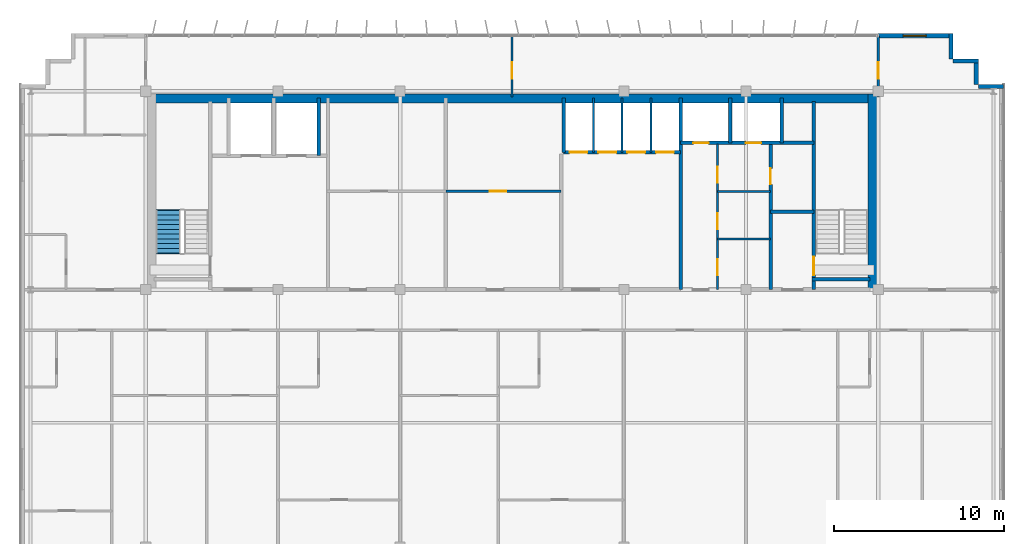
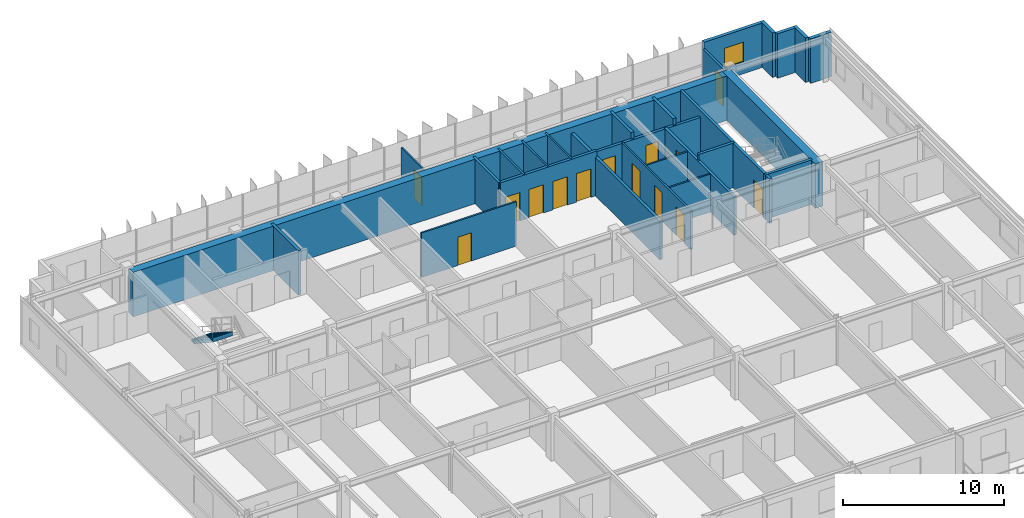
# One storey, part 20 of 23: 27 walls, 14 doors, 1 stair flight, 1 window, 15 openings, 1 element without a shape of its own.
"""IFC4 building model written with IfcOpenShell, lengths in metres."""

from ifc_helpers import new_model, si_unit, direction, frame, frame_2d, origin, place, context, subcontext, project, spatial, polyline, rectangle, outline, extrude, source, transform, mapped, material, layer, layer_set, type_object, element, fill, aggregate, save


model = new_model("IFC4")

# Units and contexts
model_context = context("Model", 3, precision=1e-05, world=origin(), true_north=direction((0.0, 1.0)))
body_context = subcontext(model_context, "Body", "Model", "MODEL_VIEW")
ifc_project = project(units=[si_unit("LENGTHUNIT", "METRE"), si_unit("AREAUNIT", "SQUARE_METRE"), si_unit("VOLUMEUNIT", "CUBIC_METRE"), si_unit("PLANEANGLEUNIT", "RADIAN"), si_unit("MASSUNIT", "GRAM", prefix="KILO")], contexts=[model_context])

# Site, building, storey
site_placement = place(None, origin())
site = spatial("IfcSite", under=ifc_project, at=site_placement, CompositionType="ELEMENT")
building_placement = place(site_placement, origin())
building = spatial("IfcBuilding", under=site, at=building_placement, Name="Trelvane Seafront Commons", CompositionType="ELEMENT")
storey_placement = place(building_placement, frame((0.0, 0.0, 259.5)))
storey = spatial("IfcBuildingStorey", under=building, at=storey_placement, Name="L67", CompositionType="ELEMENT", Elevation=259.5)

# Wall, opening, window
ifc_material_1 = material(Name="Precast concrete C40/50", Category="concrete")
ifc_layer_1 = layer(ifc_material_1, 0.239990234375, Name="ARCH-WALL-EXT240")
ifc_layer_set_1 = layer_set([ifc_layer_1], Name="Precast concrete C40/50")
wall_type_1 = type_object("IfcWallType", Name="ARCH-WALL-EXT240", PredefinedType="SOLIDWALL", material=ifc_layer_set_1)
wall_1_placement = place(storey_placement, frame((58.800048828125, 48.3701171875, 0.0), z_axis=(0.0, 0.0, 1.0), x_axis=(1.0, 0.0, 0.0)))
wall_1 = element("IfcWall", 1, at=wall_1_placement, inside=storey, type_object=wall_type_1, Name="EW-L67-NE-1341", PredefinedType="SOLIDWALL", context=body_context, shape_type="SweptSolid", body=[
    extrude(rectangle(XDim=4.300048828125, YDim=0.239990234375, at=frame_2d((2.14990234375, 0.0))), origin(), (0.0, 0.0, 1.0), 3.3701171875),
])
opening_1_placement = place(wall_1_placement, frame((1.47509765625, 0.0, 0.89990234375)))
opening_1 = element("IfcOpeningElement", 2, at=opening_1_placement, cuts=wall_1, Name="Opening W09", PredefinedType="OPENING", context=body_context, shape_type="SweptSolid", body=[
    extrude(rectangle(XDim=1.35009765625, YDim=1.5, at=frame_2d((0.675048828125, 0.75))), frame((0.0, 0.1298828125, 0.0), z_axis=(0.0, -1.0, 0.0), x_axis=(1.0, 0.0, 0.0)), (0.0, 0.0, 1.0), 0.260009765625),
])
ifc_material_2 = material(Name="Low-E coastal double glazing", Category="glass")
window_type = type_object("IfcWindowType", Name="ARCH-WIN-W09", PartitioningType="SINGLE_PANEL", PredefinedType="WINDOW", material=ifc_material_2)
shared_shape_1 = source(origin(), body_context, "Body", "SweptSolid", [
    extrude(rectangle(XDim=1.35009765625, YDim=1.5, at=frame_2d((0.675048828125, 0.75))), frame((0.0, 0.030029296875, 0.0), z_axis=(0.0, -1.0, 0.0), x_axis=(1.0, 0.0, 0.0)), (0.0, 0.0, 1.0), 0.06005859375),
])
window_placement = place(opening_1_placement, origin())
window = element("IfcWindow", 3, at=window_placement, inside=storey, type_object=window_type, Name="WIN-L67-01595", OverallHeight=1.5, OverallWidth=1.35009765625, PartitioningType="SINGLE_PANEL", PredefinedType="WINDOW", context=body_context, shape_type="MappedRepresentation", body=[
    mapped(shared_shape_1, transform((0.0, 0.0, 0.0), x_axis=(1.0, 0.0, 0.0), y_axis=(0.0, 1.0, 0.0), z_axis=(0.0, 0.0, 1.0), scale=1.0)),
])
fill(opening_1, window)

# Walls
for number, where, z_axis, x_axis, name in (
    (4, (63.080078125, 48.5, 0.0), (0.0, 0.0, 1.0), (0.0, -1.0, 0.0), "EW-L67-01350"),
    (5, (63.199951171875, 46.8798828125, 0.0), (0.0, 0.0, 1.0), (1.0, 0.0, 0.0), "EW-L67-01351"),
    (6, (64.580078125, 47.0, 0.0), (0.0, 0.0, 1.0), (0.0, -1.0, 0.0), "EW-L67-01352"),
    (7, (64.699951171875, 45.3798828125, 0.0), (0.0, 0.0, 1.0), (1.0, 0.0, 0.0), "EW-L67-01353"),
):
    element("IfcWall", number, at=place(storey_placement, frame(where, z_axis=z_axis, x_axis=x_axis)), inside=storey, type_object=wall_type_1, Name=name, PredefinedType="SOLIDWALL", context=body_context, shape_type="SweptSolid", body=[
        extrude(rectangle(XDim=1.5, YDim=0.239990234375, at=frame_2d((0.75, 0.0))), origin(), (0.0, 0.0, 1.0), 3.3701171875),
    ])

# Wall, opening, door
ifc_material_3 = material(Name="Concrete C40/50", Category="concrete")
ifc_layer_2 = layer(ifc_material_3, 0.199951171875, Name="ARCH-WALL-FIRE200")
ifc_layer_set_2 = layer_set([ifc_layer_2], Name="Concrete C40/50")
wall_type_2 = type_object("IfcWallType", Name="ARCH-WALL-FIRE200", PredefinedType="PARTITIONING", material=ifc_layer_set_2)
wall_2_placement = place(storey_placement, frame((52.449951171875, 33.39990234375, 0.0), z_axis=(0.0, 0.0, 1.0), x_axis=(0.0, 1.0, 0.0)))
wall_2 = element("IfcWall", 8, at=wall_2_placement, inside=storey, type_object=wall_type_2, Name="W-L67-ST2V-W-030", PredefinedType="PARTITIONING", context=body_context, shape_type="SweptSolid", body=[
    extrude(rectangle(XDim=8.650146484375, YDim=0.199951171875, at=frame_2d((4.3251953125, 0.0))), origin(), (0.0, 0.0, 1.0), 2.919921875),
])
opening_2_placement = place(wall_2_placement, frame((6.199951171875, 0.0, 0.0)))
opening_2 = element("IfcOpeningElement", 9, at=opening_2_placement, cuts=wall_2, Name="Opening FD-L67-17", PredefinedType="OPENING", context=body_context, shape_type="SweptSolid", body=[
    extrude(rectangle(XDim=0.949951171875, YDim=2.14990234375, at=frame_2d((0.47509765625, 1.074951171875))), frame((0.0, 0.10986328125, 0.0), z_axis=(0.0, -1.0, 0.0), x_axis=(1.0, 0.0, 0.0)), (0.0, 0.0, 1.0), 0.219970703125),
])
ifc_material_4 = material(Name="Powder-coated aluminium frame", Category="aluminium")
door_type_1 = type_object("IfcDoorType", Name="ARCH-DR-FD60-950", OperationType="NOTDEFINED", PredefinedType="DOOR", material=ifc_material_4)
shared_shape_2 = source(origin(), body_context, "Body", "SweptSolid", [
    extrude(rectangle(XDim=0.949951171875, YDim=2.14990234375, at=frame_2d((0.47509765625, 1.074951171875))), frame((0.0, 0.02490234375, 0.0), z_axis=(0.0, -1.0, 0.0), x_axis=(1.0, 0.0, 0.0)), (0.0, 0.0, 1.0), 0.050048828125),
])
door_1_placement = place(opening_2_placement, origin())
door_1 = element("IfcDoor", 10, at=door_1_placement, inside=storey, type_object=door_type_1, Name="L67 Cleaner Store Door", OperationType="SINGLE_SWING_LEFT", OverallHeight=2.14990234375, OverallWidth=0.949951171875, PredefinedType="DOOR", context=body_context, shape_type="MappedRepresentation", body=[
    mapped(shared_shape_2, transform((0.0, 0.0, 0.0), x_axis=(1.0, 0.0, 0.0), y_axis=(0.0, 1.0, 0.0), z_axis=(0.0, 0.0, 1.0), scale=1.0)),
])
fill(opening_2, door_1)

# Wall
wall_3_placement = place(storey_placement, frame((52.449951171875, 38.0, 0.0), z_axis=(0.0, 0.0, 1.0), x_axis=(1.0, 0.0, 0.0)))
element("IfcWall", 11, at=wall_3_placement, inside=storey, type_object=wall_type_2, Name="W-L67-ST2V-N-031", PredefinedType="PARTITIONING", context=body_context, shape_type="SweptSolid", body=[
    extrude(rectangle(XDim=2.550048828125, YDim=0.199951171875, at=frame_2d((1.27490234375, 0.0))), origin(), (0.0, 0.0, 1.0), 3.3701171875),
])

# Wall, opening, door
ifc_material_5 = material(Name="Gypsum Drywall Acoustic Partition")
ifc_layer_3 = layer(ifc_material_5, 0.1201171875, Name="ARCH-WALL-PART120")
ifc_layer_set_3 = layer_set([ifc_layer_3], Name="Gypsum Drywall Acoustic Partition")
wall_type_3 = type_object("IfcWallType", Name="ARCH-WALL-PART120", PredefinedType="PARTITIONING", material=ifc_layer_set_3)
wall_4_placement = place(storey_placement, frame((33.300048828125, 39.199951171875, 0.0), z_axis=(0.0, 0.0, 1.0), x_axis=(1.0, 0.0, 0.0)))
wall_4 = element("IfcWall", 12, at=wall_4_placement, inside=storey, type_object=wall_type_3, Name="W-L67-FREED-PM-MID-016", PredefinedType="PARTITIONING", context=body_context, shape_type="SweptSolid", body=[
    extrude(rectangle(XDim=6.800048828125, YDim=0.1201171875, at=frame_2d((3.39990234375, 0.0))), origin(), (0.0, 0.0, 1.0), 3.3701171875),
])
opening_3_placement = place(wall_4_placement, frame((2.60009765625, 0.0, 0.0)))
opening_3 = element("IfcOpeningElement", 13, at=opening_3_placement, cuts=wall_4, Name="Opening D-L67-07", PredefinedType="OPENING", context=body_context, shape_type="SweptSolid", body=[
    extrude(rectangle(XDim=0.949951171875, YDim=2.14990234375, at=frame_2d((0.47509765625, 1.074951171875))), frame((0.0, 0.070068359375, 0.0), z_axis=(0.0, -1.0, 0.0), x_axis=(1.0, 0.0, 0.0)), (0.0, 0.0, 1.0), 0.14013671875),
])
ifc_material_6 = material(Name="Acoustic timber door leaf", Category="wood")
door_type_2 = type_object("IfcDoorType", Name="ARCH-DR-INT950", OperationType="NOTDEFINED", PredefinedType="DOOR", material=ifc_material_6)
door_2_placement = place(opening_3_placement, origin())
door_2 = element("IfcDoor", 14, at=door_2_placement, inside=storey, type_object=door_type_2, Name="L67 IT Comms Room Door", OperationType="SINGLE_SWING_LEFT", OverallHeight=2.14990234375, OverallWidth=0.949951171875, PredefinedType="DOOR", context=body_context, shape_type="MappedRepresentation", body=[
    mapped(shared_shape_2, transform((0.0, 0.0, 0.0), x_axis=(1.0, 0.0, 0.0), y_axis=(0.0, 1.0, 0.0), z_axis=(0.0, 0.0, 1.0), scale=1.0)),
])
fill(opening_3, door_2)

# Walls
for number, where, z_axis, x_axis, name in (
    (15, (42.0, 41.5, 0.0), (0.0, 0.0, 1.0), (0.0, 1.0, 0.0), "W-L67-PH-DIV1-020"),
    (16, (43.699951171875, 41.5, 0.0), (0.0, 0.0, 1.0), (0.0, 1.0, 0.0), "W-L67-PH-DIV2-021"),
    (17, (45.39990234375, 41.5, 0.0), (0.0, 0.0, 1.0), (0.0, 1.0, 0.0), "W-L67-PH-DIV3-022"),
):
    element("IfcWall", number, at=place(storey_placement, frame(where, z_axis=z_axis, x_axis=x_axis)), inside=storey, type_object=wall_type_3, Name=name, PredefinedType="PARTITIONING", context=body_context, shape_type="SweptSolid", body=[
        extrude(rectangle(XDim=3.199951171875, YDim=0.1201171875, at=frame_2d((1.60009765625, 0.0))), origin(), (0.0, 0.0, 1.0), 3.3701171875),
    ])

# Wall, openings, doors
wall_5_placement = place(storey_placement, frame((49.320068359375, 33.39990234375, 0.0), z_axis=(0.0, 0.0, 1.0), x_axis=(0.0, 1.0, 0.0)))
wall_5 = element("IfcWall", 18, at=wall_5_placement, inside=storey, type_object=wall_type_3, Name="W-L67-CYC3-V-032", PredefinedType="PARTITIONING", context=body_context, shape_type="SweptSolid", body=[
    extrude(rectangle(XDim=8.60009765625, YDim=0.1201171875, at=frame_2d((4.300048828125, 0.0))), origin(), (0.0, 0.0, 1.0), 2.919921875),
])
opening_4_placement = place(wall_5_placement, frame((0.85009765625, 0.0, 0.0)))
opening_4 = element("IfcOpeningElement", 19, at=opening_4_placement, cuts=wall_5, Name="Opening D-L67-18", PredefinedType="OPENING", context=body_context, shape_type="SweptSolid", body=[
    extrude(rectangle(XDim=0.949951171875, YDim=2.14990234375, at=frame_2d((0.47509765625, 1.074951171875))), frame((0.0, 0.070068359375, 0.0), z_axis=(0.0, -1.0, 0.0), x_axis=(1.0, 0.0, 0.0)), (0.0, 0.0, 1.0), 0.14013671875),
])
opening_5_placement = place(wall_5_placement, frame((3.550048828125, 0.0, 0.0)))
opening_5 = element("IfcOpeningElement", 20, at=opening_5_placement, cuts=wall_5, Name="Opening D-L67-19", PredefinedType="OPENING", context=body_context, shape_type="SweptSolid", body=[
    extrude(rectangle(XDim=0.949951171875, YDim=2.14990234375, at=frame_2d((0.47509765625, 1.074951171875))), frame((0.0, 0.070068359375, 0.0), z_axis=(0.0, -1.0, 0.0), x_axis=(1.0, 0.0, 0.0)), (0.0, 0.0, 1.0), 0.14013671875),
])
opening_6_placement = place(wall_5_placement, frame((6.300048828125, 0.0, 0.0)))
opening_6 = element("IfcOpeningElement", 21, at=opening_6_placement, cuts=wall_5, Name="Opening D-L67-20", PredefinedType="OPENING", context=body_context, shape_type="SweptSolid", body=[
    extrude(rectangle(XDim=0.949951171875, YDim=2.14990234375, at=frame_2d((0.47509765625, 1.074951171875))), frame((0.0, 0.070068359375, 0.0), z_axis=(0.0, -1.0, 0.0), x_axis=(1.0, 0.0, 0.0)), (0.0, 0.0, 1.0), 0.14013671875),
])
door_3_placement = place(opening_4_placement, origin())
door_3 = element("IfcDoor", 22, at=door_3_placement, inside=storey, type_object=door_type_2, Name="L67 Accessible WC Door", OperationType="SINGLE_SWING_RIGHT", OverallHeight=2.14990234375, OverallWidth=0.949951171875, PredefinedType="DOOR", context=body_context, shape_type="MappedRepresentation", body=[
    mapped(shared_shape_2, transform((0.0, 0.0, 0.0), x_axis=(1.0, 0.0, 0.0), y_axis=(0.0, 1.0, 0.0), z_axis=(0.0, 0.0, 1.0), scale=1.0)),
])
fill(opening_4, door_3)
door_4_placement = place(opening_5_placement, origin())
door_4 = element("IfcDoor", 23, at=door_4_placement, inside=storey, type_object=door_type_2, Name="L67 Staff WC Door", OperationType="SINGLE_SWING_LEFT", OverallHeight=2.14990234375, OverallWidth=0.949951171875, PredefinedType="DOOR", context=body_context, shape_type="MappedRepresentation", body=[
    mapped(shared_shape_2, transform((0.0, 0.0, 0.0), x_axis=(1.0, 0.0, 0.0), y_axis=(0.0, 1.0, 0.0), z_axis=(0.0, 0.0, 1.0), scale=1.0)),
])
fill(opening_5, door_4)
door_5_placement = place(opening_6_placement, origin())
door_5 = element("IfcDoor", 24, at=door_5_placement, inside=storey, type_object=door_type_2, Name="L67 Electrical Room Door", OperationType="SINGLE_SWING_RIGHT", OverallHeight=2.14990234375, OverallWidth=0.949951171875, PredefinedType="DOOR", context=body_context, shape_type="MappedRepresentation", body=[
    mapped(shared_shape_2, transform((0.0, 0.0, 0.0), x_axis=(1.0, 0.0, 0.0), y_axis=(0.0, 1.0, 0.0), z_axis=(0.0, 0.0, 1.0), scale=1.0)),
])
fill(opening_6, door_5)

# Walls
for number, where, z_axis, x_axis, name in (
    (25, (49.320068359375, 36.3798828125, 0.0), (0.0, 0.0, 1.0), (1.0, 0.0, 0.0), "W-L67-CYC3-H1-033"),
    (26, (49.320068359375, 39.179931640625, 0.0), (0.0, 0.0, 1.0), (1.0, 0.0, 0.0), "W-L67-CYC3-H2-034"),
):
    element("IfcWall", number, at=place(storey_placement, frame(where, z_axis=z_axis, x_axis=x_axis)), inside=storey, type_object=wall_type_3, Name=name, PredefinedType="PARTITIONING", context=body_context, shape_type="SweptSolid", body=[
        extrude(rectangle(XDim=3.1298828125, YDim=0.1201171875, at=frame_2d((1.56494140625, 0.0))), origin(), (0.0, 0.0, 1.0), 2.8701171875),
    ])

# Wall, opening, door
wall_6_placement = place(storey_placement, frame((37.199951171875, 44.75, 0.0), z_axis=(0.0, 0.0, 1.0), x_axis=(0.0, 1.0, 0.0)))
wall_6 = element("IfcWall", 27, at=wall_6_placement, inside=storey, type_object=wall_type_3, Name="W-L67-N-MID-DV-043", PredefinedType="PARTITIONING", context=body_context, shape_type="SweptSolid", body=[
    extrude(rectangle(XDim=3.610107421875, YDim=0.1201171875, at=frame_2d((1.80517578125, 0.0))), origin(), (0.0, 0.0, 1.0), 2.919921875),
])
opening_7_placement = place(wall_6_placement, frame((1.10009765625, 0.0, 0.0)))
opening_7 = element("IfcOpeningElement", 28, at=opening_7_placement, cuts=wall_6, Name="Opening D-L67-28", PredefinedType="OPENING", context=body_context, shape_type="SweptSolid", body=[
    extrude(rectangle(XDim=0.949951171875, YDim=2.14990234375, at=frame_2d((0.47509765625, 1.074951171875))), frame((0.0, 0.070068359375, 0.0), z_axis=(0.0, -1.0, 0.0), x_axis=(1.0, 0.0, 0.0)), (0.0, 0.0, 1.0), 0.14013671875),
])
door_6_placement = place(opening_7_placement, origin())
door_6 = element("IfcDoor", 29, at=door_6_placement, inside=storey, type_object=door_type_2, Name="L67 Door 28", OperationType="SINGLE_SWING_RIGHT", OverallHeight=2.14990234375, OverallWidth=0.949951171875, PredefinedType="DOOR", context=body_context, shape_type="MappedRepresentation", body=[
    mapped(shared_shape_2, transform((0.0, 0.0, 0.0), x_axis=(1.0, 0.0, 0.0), y_axis=(0.0, 1.0, 0.0), z_axis=(0.0, 0.0, 1.0), scale=1.0)),
])
fill(opening_7, door_6)

ifc_layer_4 = layer(ifc_material_5, 0.14990234375, Name="ARCH-WALL-PART150")
ifc_layer_set_4 = layer_set([ifc_layer_4], Name="Gypsum Drywall Acoustic Partition")
wall_type_4 = type_object("IfcWallType", Name="ARCH-WALL-PART150", PredefinedType="PARTITIONING", material=ifc_layer_set_4)
wall_7_placement = place(storey_placement, frame((58.800048828125, 44.75, 0.0), z_axis=(0.0, 0.0, 1.0), x_axis=(0.0, 1.0, 0.0)))
wall_7 = element("IfcWall", 30, at=wall_7_placement, inside=storey, type_object=wall_type_4, Name="W-L67-N-LINK-E-045", PredefinedType="PARTITIONING", context=body_context, shape_type="SweptSolid", body=[
    extrude(rectangle(XDim=3.610107421875, YDim=0.14990234375, at=frame_2d((1.80517578125, 0.0))), origin(), (0.0, 0.0, 1.0), 2.8701171875),
])
opening_8_placement = place(wall_7_placement, frame((1.10009765625, 0.0, 0.0)))
opening_8 = element("IfcOpeningElement", 31, at=opening_8_placement, cuts=wall_7, Name="Opening FD-L67-30", PredefinedType="OPENING", context=body_context, shape_type="SweptSolid", body=[
    extrude(rectangle(XDim=0.949951171875, YDim=2.14990234375, at=frame_2d((0.47509765625, 1.074951171875))), frame((0.0, 0.0849609375, 0.0), z_axis=(0.0, -1.0, 0.0), x_axis=(1.0, 0.0, 0.0)), (0.0, 0.0, 1.0), 0.169921875),
])
door_7_placement = place(opening_8_placement, origin())
door_7 = element("IfcDoor", 32, at=door_7_placement, inside=storey, type_object=door_type_1, Name="L67 Door 30", OperationType="SINGLE_SWING_RIGHT", OverallHeight=2.14990234375, OverallWidth=0.949951171875, PredefinedType="DOOR", context=body_context, shape_type="MappedRepresentation", body=[
    mapped(shared_shape_2, transform((0.0, 0.0, 0.0), x_axis=(1.0, 0.0, 0.0), y_axis=(0.0, 1.0, 0.0), z_axis=(0.0, 0.0, 1.0), scale=1.0)),
])
fill(opening_8, door_7)

# Wall
ifc_layer_5 = layer(ifc_material_3, 0.199951171875, Name="ARCH-WALL-SHAFT200")
ifc_layer_set_5 = layer_set([ifc_layer_5], Name="Concrete C40/50")
wall_type_5 = type_object("IfcWallType", Name="ARCH-WALL-SHAFT200", PredefinedType="SOLIDWALL", material=ifc_layer_set_5)
wall_8_placement = place(storey_placement, frame((25.800048828125, 41.300048828125, 0.0), z_axis=(0.0, 0.0, 1.0), x_axis=(0.0, 1.0, 0.0)))
element("IfcWall", 33, at=wall_8_placement, inside=storey, type_object=wall_type_5, Name="W-L67-FFL-SH-E-011", PredefinedType="SOLIDWALL", context=body_context, shape_type="SweptSolid", body=[
    extrude(rectangle(XDim=3.39990234375, YDim=0.199951171875, at=frame_2d((1.699951171875, 0.0))), origin(), (0.0, 0.0, 1.0), 3.3701171875),
])

# Wall, openings, doors
wall_9_placement = place(storey_placement, frame((40.25, 41.5, 0.0), z_axis=(0.0, 0.0, 1.0), x_axis=(1.0, 0.0, 0.0)))
wall_9 = element("IfcWall", 34, at=wall_9_placement, inside=storey, type_object=wall_type_5, Name="W-L67-PH-FRONT-018", PredefinedType="SOLIDWALL", context=body_context, shape_type="SweptSolid", body=[
    extrude(rectangle(XDim=6.89990234375, YDim=0.199951171875, at=frame_2d((3.449951171875, 0.0))), origin(), (0.0, 0.0, 1.0), 3.3701171875),
])
opening_9_placement = place(wall_9_placement, frame((0.35009765625, 0.0, 0.0)))
opening_9 = element("IfcOpeningElement", 35, at=opening_9_placement, cuts=wall_9, Name="Opening LD-PH1-L67", PredefinedType="OPENING", context=body_context, shape_type="SweptSolid", body=[
    extrude(rectangle(XDim=1.050048828125, YDim=2.14990234375, at=frame_2d((0.52490234375, 1.074951171875))), frame((0.0, 0.10986328125, 0.0), z_axis=(0.0, -1.0, 0.0), x_axis=(1.0, 0.0, 0.0)), (0.0, 0.0, 1.0), 0.219970703125),
])
opening_10_placement = place(wall_9_placement, frame((2.050048828125, 0.0, 0.0)))
opening_10 = element("IfcOpeningElement", 36, at=opening_10_placement, cuts=wall_9, Name="Opening LD-PH2-L67", PredefinedType="OPENING", context=body_context, shape_type="SweptSolid", body=[
    extrude(rectangle(XDim=1.050048828125, YDim=2.14990234375, at=frame_2d((0.52490234375, 1.074951171875))), frame((0.0, 0.10986328125, 0.0), z_axis=(0.0, -1.0, 0.0), x_axis=(1.0, 0.0, 0.0)), (0.0, 0.0, 1.0), 0.219970703125),
])
opening_11_placement = place(wall_9_placement, frame((3.75, 0.0, 0.0)))
opening_11 = element("IfcOpeningElement", 37, at=opening_11_placement, cuts=wall_9, Name="Opening LD-PH3-L67", PredefinedType="OPENING", context=body_context, shape_type="SweptSolid", body=[
    extrude(rectangle(XDim=1.050048828125, YDim=2.14990234375, at=frame_2d((0.52490234375, 1.074951171875))), frame((0.0, 0.10986328125, 0.0), z_axis=(0.0, -1.0, 0.0), x_axis=(1.0, 0.0, 0.0)), (0.0, 0.0, 1.0), 0.219970703125),
])
opening_12_placement = place(wall_9_placement, frame((5.449951171875, 0.0, 0.0)))
opening_12 = element("IfcOpeningElement", 38, at=opening_12_placement, cuts=wall_9, Name="Opening LD-PH4-L67", PredefinedType="OPENING", context=body_context, shape_type="SweptSolid", body=[
    extrude(rectangle(XDim=1.050048828125, YDim=2.14990234375, at=frame_2d((0.52490234375, 1.074951171875))), frame((0.0, 0.10986328125, 0.0), z_axis=(0.0, -1.0, 0.0), x_axis=(1.0, 0.0, 0.0)), (0.0, 0.0, 1.0), 0.219970703125),
])
ifc_material_7 = material(Name="Stainless steel balustrade", Category="steel")
door_type_3 = type_object("IfcDoorType", Name="ARCH-DR-LD1050", OperationType="DOUBLE_DOOR_SLIDING", PredefinedType="DOOR", material=ifc_material_7)
shared_shape_3 = source(origin(), body_context, "Body", "SweptSolid", [
    extrude(rectangle(XDim=1.050048828125, YDim=2.14990234375, at=frame_2d((0.52490234375, 1.074951171875))), frame((0.0, 0.02490234375, 0.0), z_axis=(0.0, -1.0, 0.0), x_axis=(1.0, 0.0, 0.0)), (0.0, 0.0, 1.0), 0.050048828125),
])
door_8_placement = place(opening_9_placement, origin())
door_8 = element("IfcDoor", 39, at=door_8_placement, inside=storey, type_object=door_type_3, Name="L67 Passenger Lift PH-1 Landing Door", OperationType="DOUBLE_DOOR_SLIDING", OverallHeight=2.14990234375, OverallWidth=1.050048828125, PredefinedType="DOOR", context=body_context, shape_type="MappedRepresentation", body=[
    mapped(shared_shape_3, transform((0.0, 0.0, 0.0), x_axis=(1.0, 0.0, 0.0), y_axis=(0.0, 1.0, 0.0), z_axis=(0.0, 0.0, 1.0), scale=1.0)),
])
fill(opening_9, door_8)
door_9_placement = place(opening_10_placement, origin())
door_9 = element("IfcDoor", 40, at=door_9_placement, inside=storey, type_object=door_type_3, Name="L67 Passenger Lift PH-2 Landing Door", OperationType="DOUBLE_DOOR_SLIDING", OverallHeight=2.14990234375, OverallWidth=1.050048828125, PredefinedType="DOOR", context=body_context, shape_type="MappedRepresentation", body=[
    mapped(shared_shape_3, transform((0.0, 0.0, 0.0), x_axis=(1.0, 0.0, 0.0), y_axis=(0.0, 1.0, 0.0), z_axis=(0.0, 0.0, 1.0), scale=1.0)),
])
fill(opening_10, door_9)
door_10_placement = place(opening_11_placement, origin())
door_10 = element("IfcDoor", 41, at=door_10_placement, inside=storey, type_object=door_type_3, Name="L67 Passenger Lift PH-3 Landing Door", OperationType="DOUBLE_DOOR_SLIDING", OverallHeight=2.14990234375, OverallWidth=1.050048828125, PredefinedType="DOOR", context=body_context, shape_type="MappedRepresentation", body=[
    mapped(shared_shape_3, transform((0.0, 0.0, 0.0), x_axis=(1.0, 0.0, 0.0), y_axis=(0.0, 1.0, 0.0), z_axis=(0.0, 0.0, 1.0), scale=1.0)),
])
fill(opening_11, door_10)
door_11_placement = place(opening_12_placement, origin())
door_11 = element("IfcDoor", 42, at=door_11_placement, inside=storey, type_object=door_type_3, Name="L67 Passenger Lift PH-4 Landing Door", OperationType="DOUBLE_DOOR_SLIDING", OverallHeight=2.14990234375, OverallWidth=1.050048828125, PredefinedType="DOOR", context=body_context, shape_type="MappedRepresentation", body=[
    mapped(shared_shape_3, transform((0.0, 0.0, 0.0), x_axis=(1.0, 0.0, 0.0), y_axis=(0.0, 1.0, 0.0), z_axis=(0.0, 0.0, 1.0), scale=1.0)),
])
fill(opening_12, door_11)

# Walls
wall_10_placement = place(storey_placement, frame((40.25, 41.5, 0.0), z_axis=(0.0, 0.0, 1.0), x_axis=(0.0, 1.0, 0.0)))
element("IfcWall", 43, at=wall_10_placement, inside=storey, type_object=wall_type_5, Name="W-L67-PH-WEST-SH-019", PredefinedType="SOLIDWALL", context=body_context, shape_type="SweptSolid", body=[
    extrude(rectangle(XDim=3.199951171875, YDim=0.199951171875, at=frame_2d((1.60009765625, 0.0))), origin(), (0.0, 0.0, 1.0), 3.3701171875),
])
wall_11_placement = place(storey_placement, frame((47.14990234375, 33.39990234375, 0.0), z_axis=(0.0, 0.0, 1.0), x_axis=(0.0, 1.0, 0.0)))
element("IfcWall", 44, at=wall_11_placement, inside=storey, type_object=wall_type_5, Name="W-L67-PH-EAST-023", PredefinedType="SOLIDWALL", context=body_context, shape_type="SweptSolid", body=[
    extrude(rectangle(XDim=11.300048828125, YDim=0.199951171875, at=frame_2d((5.64990234375, 0.0))), origin(), (0.0, 0.0, 1.0), 2.919921875),
])

# Wall, openings, doors
wall_12_placement = place(storey_placement, frame((47.14990234375, 42.050048828125, 0.0), z_axis=(0.0, 0.0, 1.0), x_axis=(1.0, 0.0, 0.0)))
wall_12 = element("IfcWall", 45, at=wall_12_placement, inside=storey, type_object=wall_type_5, Name="W-L67-RSR-S-027", PredefinedType="SOLIDWALL", context=body_context, shape_type="SweptSolid", body=[
    extrude(rectangle(XDim=7.85009765625, YDim=0.199951171875, at=frame_2d((3.925048828125, 0.0))), origin(), (0.0, 0.0, 1.0), 2.8701171875),
])
opening_13_placement = place(wall_12_placement, frame((0.75, 0.0, 0.0)))
opening_13 = element("IfcOpeningElement", 46, at=opening_13_placement, cuts=wall_12, Name="Opening FD-L67-15", PredefinedType="OPENING", context=body_context, shape_type="SweptSolid", body=[
    extrude(rectangle(XDim=0.89990234375, YDim=2.10009765625, at=frame_2d((0.449951171875, 1.050048828125))), frame((0.0, 0.10986328125, 0.0), z_axis=(0.0, -1.0, 0.0), x_axis=(1.0, 0.0, 0.0)), (0.0, 0.0, 1.0), 0.219970703125),
])
opening_14_placement = place(wall_12_placement, frame((3.85009765625, 0.0, 0.0)))
opening_14 = element("IfcOpeningElement", 47, at=opening_14_placement, cuts=wall_12, Name="Opening FD-L67-16", PredefinedType="OPENING", context=body_context, shape_type="SweptSolid", body=[
    extrude(rectangle(XDim=0.89990234375, YDim=2.10009765625, at=frame_2d((0.449951171875, 1.050048828125))), frame((0.0, 0.10986328125, 0.0), z_axis=(0.0, -1.0, 0.0), x_axis=(1.0, 0.0, 0.0)), (0.0, 0.0, 1.0), 0.219970703125),
])
door_type_4 = type_object("IfcDoorType", Name="ARCH-DR-FD60-900", OperationType="NOTDEFINED", PredefinedType="DOOR", material=ifc_material_4)
shared_shape_4 = source(origin(), body_context, "Body", "SweptSolid", [
    extrude(rectangle(XDim=0.89990234375, YDim=2.10009765625, at=frame_2d((0.449951171875, 1.050048828125))), frame((0.0, 0.02490234375, 0.0), z_axis=(0.0, -1.0, 0.0), x_axis=(1.0, 0.0, 0.0)), (0.0, 0.0, 1.0), 0.050048828125),
])
door_12_placement = place(opening_13_placement, origin())
door_12 = element("IfcDoor", 48, at=door_12_placement, inside=storey, type_object=door_type_4, Name="L67 Electrical Riser Access Door", OperationType="SINGLE_SWING_LEFT", OverallHeight=2.10009765625, OverallWidth=0.89990234375, PredefinedType="DOOR", context=body_context, shape_type="MappedRepresentation", body=[
    mapped(shared_shape_4, transform((0.0, 0.0, 0.0), x_axis=(1.0, 0.0, 0.0), y_axis=(0.0, 1.0, 0.0), z_axis=(0.0, 0.0, 1.0), scale=1.0)),
])
fill(opening_13, door_12)
door_13_placement = place(opening_14_placement, origin())
door_13 = element("IfcDoor", 49, at=door_13_placement, inside=storey, type_object=door_type_4, Name="L67 Mechanical Riser Access Door", OperationType="SINGLE_SWING_RIGHT", OverallHeight=2.10009765625, OverallWidth=0.89990234375, PredefinedType="DOOR", context=body_context, shape_type="MappedRepresentation", body=[
    mapped(shared_shape_4, transform((0.0, 0.0, 0.0), x_axis=(1.0, 0.0, 0.0), y_axis=(0.0, 1.0, 0.0), z_axis=(0.0, 0.0, 1.0), scale=1.0)),
])
fill(opening_14, door_13)

# Walls
for number, where, z_axis, x_axis, name in (
    (50, (50.080078125, 42.050048828125, 0.0), (0.0, 0.0, 1.0), (0.0, 1.0, 0.0), "W-L67-RSR-DIV-028"),
    (51, (53.10009765625, 42.050048828125, 0.0), (0.0, 0.0, 1.0), (0.0, 1.0, 0.0), "W-L67-RSR-E-029"),
):
    element("IfcWall", number, at=place(storey_placement, frame(where, z_axis=z_axis, x_axis=x_axis)), inside=storey, type_object=wall_type_5, Name=name, PredefinedType="SOLIDWALL", context=body_context, shape_type="SweptSolid", body=[
        extrude(rectangle(XDim=2.64990234375, YDim=0.199951171875, at=frame_2d((1.324951171875, 0.0))), origin(), (0.0, 0.0, 1.0), 3.3701171875),
    ])
ifc_material_8 = material(Name="Concrete C50/60", Category="concrete")
ifc_layer_6 = layer(ifc_material_8, 0.550048828125, Name="STR-WALL-CORE550")
ifc_layer_set_6 = layer_set([ifc_layer_6], Name="Concrete C50/60")
wall_type_6 = type_object("IfcWallType", Name="STR-WALL-CORE550", PredefinedType="SHEAR", material=ifc_layer_set_6)
wall_13_placement = place(storey_placement, frame((15.64990234375, 44.675048828125, 0.0), z_axis=(0.0, 0.0, 1.0), x_axis=(1.0, 0.0, 0.0)))
element("IfcWall", 52, at=wall_13_placement, inside=storey, type_object=wall_type_6, Name="W-L67-CN-ALL-001", PredefinedType="SHEAR", context=body_context, shape_type="SweptSolid", body=[
    extrude(rectangle(XDim=43.10009765625, YDim=0.550048828125, at=frame_2d((21.550048828125, 0.0))), origin(), (0.0, 0.0, 1.0), 3.3701171875),
])
wall_14_placement = place(storey_placement, frame((58.47509765625, 33.39990234375, 0.0), z_axis=(0.0, 0.0, 1.0), x_axis=(0.0, 1.0, 0.0)))
element("IfcWall", 53, at=wall_14_placement, inside=storey, type_object=wall_type_6, Name="W-L67-CE-END-003", PredefinedType="SHEAR", context=body_context, shape_type="SweptSolid", body=[
    extrude(rectangle(XDim=11.550048828125, YDim=0.550048828125, at=frame_2d((5.77490234375, 0.0))), origin(), (0.0, 0.0, 1.0), 3.3701171875),
])
ifc_layer_7 = layer(ifc_material_8, 0.199951171875, Name="STR-WALL-STAIR200")
ifc_layer_set_7 = layer_set([ifc_layer_7], Name="Concrete C50/60")
wall_type_7 = type_object("IfcWallType", Name="STR-WALL-STAIR200", PredefinedType="SHEAR", material=ifc_layer_set_7)
wall_15_placement = place(storey_placement, frame((54.89990234375, 34.0, 0.0), z_axis=(0.0, 0.0, 1.0), x_axis=(1.0, 0.0, 0.0)))
element("IfcWall", 54, at=wall_15_placement, inside=storey, type_object=wall_type_7, Name="W-L67-ST2-S-006", PredefinedType="SHEAR", context=body_context, shape_type="SweptSolid", body=[
    extrude(rectangle(XDim=3.400146484375, YDim=0.199951171875, at=frame_2d((1.7001953125, 0.0))), origin(), (0.0, 0.0, 1.0), 3.3701171875),
])

# Wall, opening, door
wall_16_placement = place(storey_placement, frame((55.0, 33.39990234375, 0.0), z_axis=(0.0, 0.0, 1.0), x_axis=(0.0, 1.0, 0.0)))
wall_16 = element("IfcWall", 55, at=wall_16_placement, inside=storey, type_object=wall_type_7, Name="W-L67-ST2-W-007", PredefinedType="SHEAR", context=body_context, shape_type="SweptSolid", body=[
    extrude(rectangle(XDim=11.10009765625, YDim=0.199951171875, at=frame_2d((5.550048828125, 0.0))), origin(), (0.0, 0.0, 1.0), 3.3701171875),
])
opening_15_placement = place(wall_16_placement, frame((0.85009765625, 0.0, 0.0)))
opening_15 = element("IfcOpeningElement", 56, at=opening_15_placement, cuts=wall_16, Name="Opening ST-D2-L67", PredefinedType="OPENING", context=body_context, shape_type="SweptSolid", body=[
    extrude(rectangle(XDim=1.10009765625, YDim=2.14990234375, at=frame_2d((0.550048828125, 1.074951171875))), frame((0.0, 0.10986328125, 0.0), z_axis=(0.0, -1.0, 0.0), x_axis=(1.0, 0.0, 0.0)), (0.0, 0.0, 1.0), 0.219970703125),
])
door_type_5 = type_object("IfcDoorType", Name="ARCH-DR-FD90-1100", OperationType="NOTDEFINED", PredefinedType="DOOR", material=ifc_material_4)
shared_shape_5 = source(origin(), body_context, "Body", "SweptSolid", [
    extrude(rectangle(XDim=1.10009765625, YDim=2.14990234375, at=frame_2d((0.550048828125, 1.074951171875))), frame((0.0, 0.02490234375, 0.0), z_axis=(0.0, -1.0, 0.0), x_axis=(1.0, 0.0, 0.0)), (0.0, 0.0, 1.0), 0.050048828125),
])
door_14_placement = place(opening_15_placement, origin())
door_14 = element("IfcDoor", 57, at=door_14_placement, inside=storey, type_object=door_type_5, Name="L67 Stair ST-2 Vestibule Fire Door", OperationType="SINGLE_SWING_RIGHT", OverallHeight=2.14990234375, OverallWidth=1.10009765625, PredefinedType="DOOR", context=body_context, shape_type="MappedRepresentation", body=[
    mapped(shared_shape_5, transform((0.0, 0.0, 0.0), x_axis=(1.0, 0.0, 0.0), y_axis=(0.0, 1.0, 0.0), z_axis=(0.0, 0.0, 1.0), scale=1.0)),
])
fill(opening_15, door_14)

# Stair, stair flight
stair_type = type_object("IfcStairType", Name="ARCH-STR-ST-1-R20-180", PredefinedType="HALF_TURN_STAIR", material=ifc_material_3)
stair_placement = place(storey_placement, origin())
stair = element("IfcStair", 58, at=stair_placement, inside=storey, type_object=stair_type, Name="L67 West Protected Firefighting Exit Stair ST-1", PredefinedType="HALF_TURN_STAIR")
stair_flight_type = type_object("IfcStairFlightType", Name="ARCH-FLG-ST-1-R20-180", PredefinedType="STRAIGHT", material=ifc_material_3)
shared_shape_6 = source(origin(), body_context, "Body", "SweptSolid", [
    extrude(outline(polyline([(-0.050048828125, -0.02001953125), (-0.050048828125, 0.0), (0.0, 0.0), (0.0, 0.179931640625), (0.280029296875, 0.179931640625), (0.280029296875, 0.360107421875), (0.56005859375, 0.360107421875), (0.56005859375, 0.5400390625), (0.840087890625, 0.5400390625), (0.840087890625, 0.719970703125), (1.1201171875, 0.719970703125), (1.1201171875, 0.89990234375), (1.39990234375, 0.89990234375), (1.39990234375, 1.080078125), (1.679931640625, 1.080078125), (1.679931640625, 1.260009765625), (1.9599609375, 1.260009765625), (1.9599609375, 1.43994140625), (2.239990234375, 1.43994140625), (2.239990234375, 1.6201171875), (2.52001953125, 1.6201171875), (2.52001953125, 1.800048828125), (2.570068359375, 1.800048828125), (2.570068359375, 1.650146484375), (2.52001953125, 1.44189453125), (0.277099609375, -0.02001953125), (-0.050048828125, -0.02001953125)])), frame((0.0, 0.72509765625, 0.0), z_axis=(0.0, -1.0, 0.0), x_axis=(1.0, 0.0, 0.0)), (0.0, 0.0, 1.0), 1.449951171875),
])
stair_flight_placement = place(storey_placement, frame((16.925048828125, 38.070068359375, 1.800048828125), z_axis=(0.0, 0.0, 1.0), x_axis=(0.0, -1.0, 0.0)))
stair_flight = element("IfcStairFlight", 59, at=stair_flight_placement, type_object=stair_flight_type, Name="ST-1 flight 2", NumberOfRisers=10, NumberOfTreads=9, PredefinedType="STRAIGHT", RiserHeight=0.18, TreadLength=0.28, context=body_context, shape_type="MappedRepresentation", body=[
    mapped(shared_shape_6, transform((0.0, 0.0, 0.0), x_axis=(1.0, 0.0, 0.0), y_axis=(0.0, 1.0, 0.0), z_axis=(0.0, 0.0, 1.0), scale=1.0)),
])
aggregate(stair, [stair_flight])

save(model, "model.ifc")
